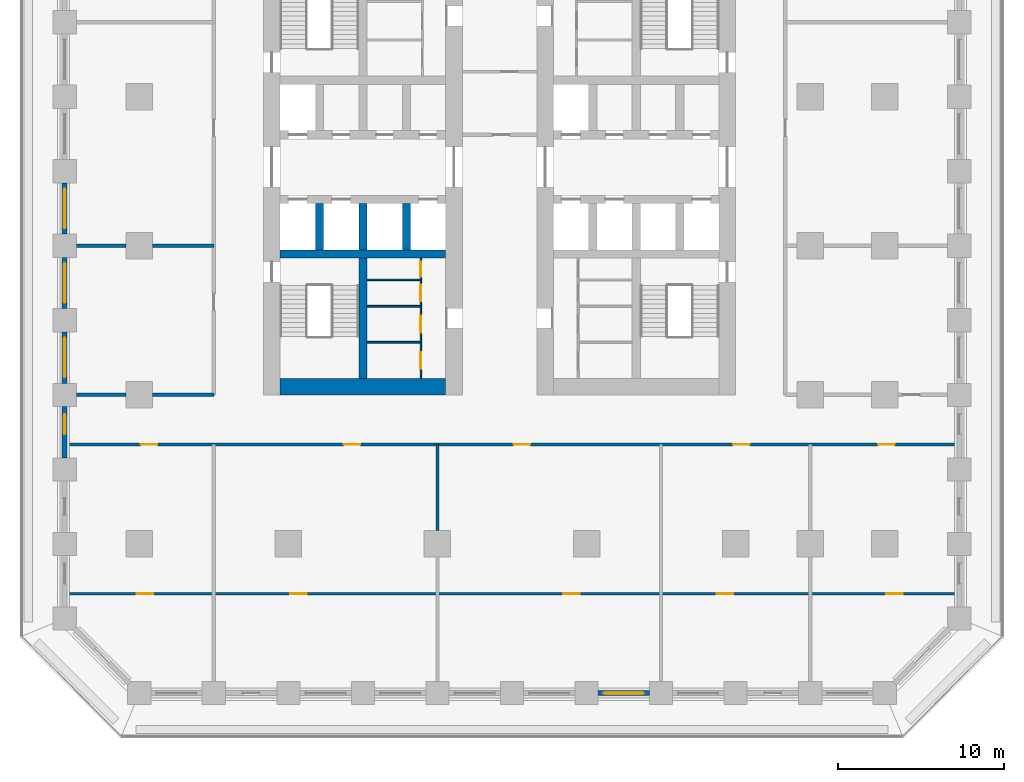
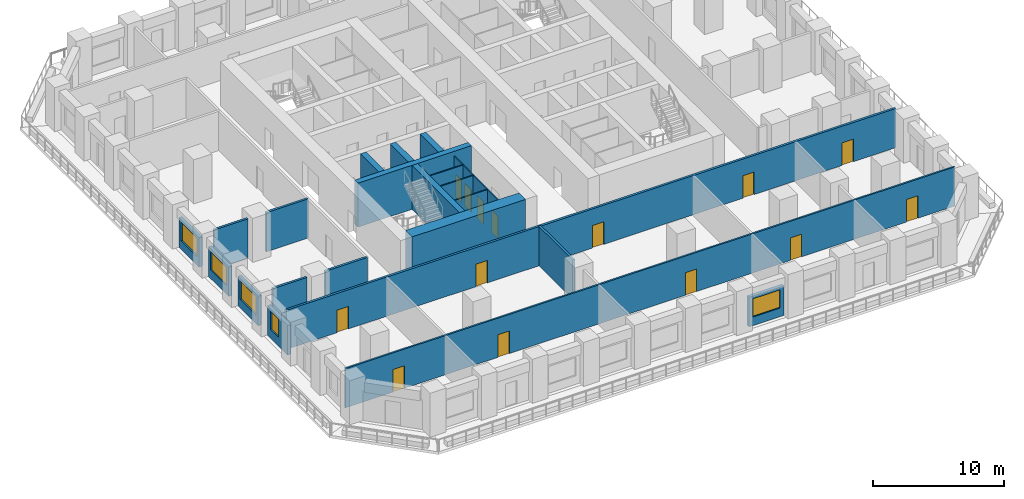
# One storey, part 3 of 11: 25 walls, 14 doors, 5 windows, 19 openings.
"""IFC4 building model written with IfcOpenShell, lengths in metres."""

import ifcopenshell
import ifcopenshell.guid

model = None  # the IFC model being written
_history = None  # IfcOwnerHistory: only IFC2X3 demands one
_inside = {}  # id of a spatial element -> (the spatial element, [elements in it])
_under = {}  # id of a project, library or spatial element -> (it, [spatial elements below it])
_declared = {}  # id of a project -> (the project, [libraries it declares])
_typed = {}  # id of a type object -> (the type object, [elements of that type])
_made_of = {}  # id of a material, layer set ... -> (it, [elements and type objects made of it])


def new_model(schema):
    """Start an empty IFC model of exactly this schema.

    Asked for "IFC4X3", IfcOpenShell would pick the latest addendum, in which some entities
    have other attributes; the version numbers below select the first issue.
    IFC2X3 requires an IfcOwnerHistory on every rooted entity: one is made here for all.
    """
    global model, _history
    if schema == "IFC4X3":
        model = ifcopenshell.file(schema_version=(4, 3, 0, 0))
    else:
        model = ifcopenshell.file(schema=schema)
    _inside.clear()
    _under.clear()
    _declared.clear()
    _typed.clear()
    _made_of.clear()
    _history = None
    if model.schema == "IFC2X3":
        org = make("IfcOrganization", Name="unknown")
        user = make(
            "IfcPersonAndOrganization",
            ThePerson=make("IfcPerson", FamilyName="unknown"),
            TheOrganization=org,
        )
        app = make(
            "IfcApplication",
            ApplicationDeveloper=org,
            Version="unknown",
            ApplicationFullName="unknown",
            ApplicationIdentifier="unknown",
        )
        _history = make(
            "IfcOwnerHistory",
            OwningUser=user,
            OwningApplication=app,
            ChangeAction="ADDED",
            CreationDate=0,
        )
    return model


def make(cls, **values):
    """One entity of the class cls with the attributes given. An attribute that is None is left unset."""
    return model.create_entity(
        cls, **{name: value for name, value in values.items() if value is not None}
    )


def rooted(cls, **values):
    """An entity with a GlobalId (a new one), such as an element, a storey or a relation."""
    return make(cls, GlobalId=ifcopenshell.guid.new(), OwnerHistory=_history, **values)


def si_unit(unit_type, name, prefix=None):
    """IfcSIUnit, for example si_unit("LENGTHUNIT", "METRE", prefix="MILLI")."""
    return make("IfcSIUnit", UnitType=unit_type, Prefix=prefix, Name=name)


def assignment(units):
    """IfcUnitAssignment: the units of a project."""
    return None if units is None else make("IfcUnitAssignment", Units=units)


def point(xyz):
    """IfcCartesianPoint."""
    return None if xyz is None else make("IfcCartesianPoint", Coordinates=xyz)


def direction(xyz):
    """IfcDirection."""
    return None if xyz is None else make("IfcDirection", DirectionRatios=xyz)


def frame(location, z_axis=None, x_axis=None):
    """IfcAxis2Placement3D, a coordinate frame: its origin and axes. An axis left out is left unset."""
    return make(
        "IfcAxis2Placement3D",
        Location=point(location),
        Axis=direction(z_axis),
        RefDirection=direction(x_axis),
    )


def frame_2d(location, x_axis=None):
    """IfcAxis2Placement2D, a coordinate frame in the plane: its origin and x axis."""
    return make(
        "IfcAxis2Placement2D", Location=point(location), RefDirection=direction(x_axis)
    )


def origin():
    """The frame at (0, 0, 0) with its axes left unset."""
    return frame((0.0, 0.0, 0.0))


def place(relative_to, where):
    """IfcLocalPlacement: puts the frame where relative to a parent placement (None: the world)."""
    return make(
        "IfcLocalPlacement", PlacementRelTo=relative_to, RelativePlacement=where
    )


def context(
    kind, dimensions, precision=None, world=None, true_north=None, identifier=None
):
    """IfcGeometricRepresentationContext, for example the 3D "Model" context."""
    return make(
        "IfcGeometricRepresentationContext",
        ContextIdentifier=identifier,
        ContextType=kind,
        CoordinateSpaceDimension=dimensions,
        Precision=precision,
        WorldCoordinateSystem=world,
        TrueNorth=true_north,
    )


def subcontext(parent, identifier, kind, view, scale=None):
    """IfcGeometricRepresentationSubContext, for example "Body" below "Model"."""
    return make(
        "IfcGeometricRepresentationSubContext",
        ContextIdentifier=identifier,
        ContextType=kind,
        ParentContext=parent,
        TargetScale=scale,
        TargetView=view,
    )


def project(units=None, contexts=None):
    """IfcProject with its units and contexts."""
    return rooted(
        "IfcProject",
        Name="project",
        RepresentationContexts=contexts,
        UnitsInContext=assignment(units),
    )


def spatial(cls, under=None, at=None, **own):
    """A site, building, storey or space (cls), placed at a placement, below another one or the project."""
    s = rooted(cls, ObjectPlacement=at, **own)
    if under is not None:
        _under.setdefault(under.id(), (under, []))[1].append(s)
    return s


def profile(cls, at=None, kind="AREA", **sizes):
    """A parametric profile (cls). Its sizes go by their IFC names, for example OverallWidth=200.0."""
    return make(cls, ProfileType=kind, Position=at, **sizes)


def rectangle(**sizes):
    """IfcRectangleProfileDef."""
    return profile("IfcRectangleProfileDef", **sizes)


def extrude(swept, where, along, depth):
    """IfcExtrudedAreaSolid: the profile swept, set in the frame where, extruded along a direction by depth."""
    return make(
        "IfcExtrudedAreaSolid",
        SweptArea=swept,
        Position=where,
        ExtrudedDirection=direction(along),
        Depth=depth,
    )


def shape(context_of_items, identifier, shape_type, items):
    """IfcShapeRepresentation: the items that make up one representation, for example the "Body"."""
    return make(
        "IfcShapeRepresentation",
        ContextOfItems=context_of_items,
        RepresentationIdentifier=identifier,
        RepresentationType=shape_type,
        Items=items,
    )


def material(Name=None, Category=None):
    """IfcMaterial."""
    return make("IfcMaterial", Name=Name, Category=Category)


def layer(
    of_material, thickness, ventilated=None, Name=None, Category=None, Priority=None
):
    """IfcMaterialLayer: one layer of a wall or slab, of a material (None: an air gap)."""
    return make(
        "IfcMaterialLayer",
        Material=of_material,
        LayerThickness=thickness,
        IsVentilated=ventilated,
        Name=Name,
        Category=Category,
        Priority=Priority,
    )


def layer_set(layers, Name=None):
    """IfcMaterialLayerSet."""
    return make("IfcMaterialLayerSet", MaterialLayers=layers, LayerSetName=Name)


def made_of(thing, what):
    """Note that an element or type object is made of a material, layer set ...; save() writes the relation."""
    if what is not None:
        _made_of.setdefault(what.id(), (what, []))[1].append(thing)
    return thing


def type_object(cls, material=None, **own):
    """A type object (cls), such as IfcWallType, which elements share."""
    return made_of(rooted(cls, **own), material)


def element(
    cls,
    number,
    at=None,
    inside=None,
    cuts=None,
    type_object=None,
    material=None,
    context=None,
    identifier="Body",
    shape_type=None,
    held_by="IfcProductDefinitionShape",
    body=None,
    shapes=None,
    **own,
):
    """One element of the class cls, such as IfcWall. Its Tag is "e" and its number.

    at: its placement. inside: the storey or other place that contains it. cuts: it is an
    opening in that element (IfcRelVoidsElement). A single representation is given by context,
    identifier, shape_type and body (its items); several are given by shapes. held_by: the class
    of the entity that holds the representations. save() writes the other relations.
    """
    e = rooted(cls, Tag="e%d" % number, ObjectPlacement=at, **own)
    if body is not None:
        shapes = [shape(context, identifier, shape_type, body)]
    if shapes is not None:
        e.Representation = make(held_by, Representations=shapes)
    if inside is not None:
        _inside.setdefault(inside.id(), (inside, []))[1].append(e)
    if cuts is not None:
        rooted(
            "IfcRelVoidsElement", RelatingBuildingElement=cuts, RelatedOpeningElement=e
        )
    if type_object is not None:
        _typed.setdefault(type_object.id(), (type_object, []))[1].append(e)
    return made_of(e, material)


def fill(opening, filler):
    """IfcRelFillsElement: the door or window that sits in an opening."""
    return rooted(
        "IfcRelFillsElement",
        RelatingOpeningElement=opening,
        RelatedBuildingElement=filler,
    )


def aggregate(whole, parts):
    """IfcRelAggregates: a whole, such as a stair, and the parts it consists of."""
    return rooted("IfcRelAggregates", RelatingObject=whole, RelatedObjects=parts)


def save(model, path):
    """Write the relations noted so far, then the file.

    IfcRelAggregates (storeys below a building ...), IfcRelContainedInSpatialStructure (elements
    in a storey), IfcRelDefinesByType, IfcRelAssociatesMaterial and IfcRelDeclares: one each for
    every whole, place, type object, material and project.
    """
    for whole, parts in _under.values():
        aggregate(whole, parts)
    for where, things in _inside.values():
        rooted(
            "IfcRelContainedInSpatialStructure",
            RelatedElements=things,
            RelatingStructure=where,
        )
    for kind, things in _typed.values():
        rooted("IfcRelDefinesByType", RelatedObjects=things, RelatingType=kind)
    for what, things in _made_of.values():
        rooted("IfcRelAssociatesMaterial", RelatedObjects=things, RelatingMaterial=what)
    for by, libraries in _declared.values():
        rooted("IfcRelDeclares", RelatingContext=by, RelatedDefinitions=libraries)
    model.write(path)


model = new_model("IFC4")

# Units and contexts
model_context = context("Model", 3, precision=1e-05, world=origin(), true_north=direction((0.0, 1.0)))
body_context = subcontext(model_context, "Body", "Model", "MODEL_VIEW")
ifc_project = project(units=[si_unit("LENGTHUNIT", "METRE"), si_unit("AREAUNIT", "SQUARE_METRE"), si_unit("VOLUMEUNIT", "CUBIC_METRE"), si_unit("PLANEANGLEUNIT", "RADIAN"), si_unit("MASSUNIT", "GRAM", prefix="KILO")], contexts=[model_context])

# Site, building, storey
site_placement = place(None, origin())
site = spatial("IfcSite", under=ifc_project, at=site_placement, CompositionType="ELEMENT")
building_placement = place(site_placement, origin())
building = spatial("IfcBuilding", under=site, at=building_placement, Name="Corbel Stack Research Tower", CompositionType="ELEMENT")
storey_placement = place(building_placement, frame((0.0, 0.0, 46.0)))
storey = spatial("IfcBuildingStorey", under=building, at=storey_placement, Name="L10", CompositionType="ELEMENT", Elevation=46.0)

# Walls
ifc_material_1 = material(Name="Concrete C70/85", Category="concrete")
ifc_layer_1 = layer(ifc_material_1, 1.0)
ifc_layer_set_1 = layer_set([ifc_layer_1], Name="Concrete C70/85")
wall_type_1 = type_object("IfcWallType", Name="CW-1000-70", PredefinedType="SHEAR", material=ifc_layer_set_1)
wall_1_placement = place(storey_placement, frame((-9.5, -8.5, 0.0), z_axis=(0.0, 0.0, 1.0), x_axis=(1.0, 0.0, 0.0)))
element("IfcWall", 1, at=wall_1_placement, inside=storey, type_object=wall_type_1, Name="West core wall, south end L10", PredefinedType="SHEAR", context=body_context, shape_type="SweptSolid", body=[
    extrude(rectangle(XDim=10.0, YDim=1.0, at=frame_2d((5.0, 0.0))), origin(), (0.0, 0.0, 1.0), 4.10009765625),
])
ifc_material_2 = material(Name="Concrete C70/85", Category="concrete")
ifc_layer_2 = layer(ifc_material_2, 0.5)
ifc_layer_set_2 = layer_set([ifc_layer_2], Name="Concrete C70/85")
wall_type_2 = type_object("IfcWallType", Name="CW-500-70", PredefinedType="SHEAR", material=ifc_layer_set_2)
wall_2_placement = place(storey_placement, frame((-9.5, -0.5, 0.0), z_axis=(0.0, 0.0, 1.0), x_axis=(1.0, 0.0, 0.0)))
element("IfcWall", 2, at=wall_2_placement, inside=storey, type_object=wall_type_2, Name="West core wall, south row back L10", PredefinedType="SHEAR", context=body_context, shape_type="SweptSolid", body=[
    extrude(rectangle(XDim=10.0, YDim=0.5, at=frame_2d((5.0, 0.0))), origin(), (0.0, 0.0, 1.0), 4.10009765625),
])
for number, where, z_axis, x_axis, name in (
    (3, (-7.125, -0.25, 0.0), (0.0, 0.0, 1.0), (0.0, 1.0, 0.0), "West core wall, south shaft 1 L10"),
    (4, (-4.5, -0.25, 0.0), (0.0, 0.0, 1.0), (0.0, 1.0, 0.0), "West core wall, south shaft 2 L10"),
    (5, (-1.875, -0.25, 0.0), (0.0, 0.0, 1.0), (0.0, 1.0, 0.0), "West core wall, south shaft 3 L10"),
):
    element("IfcWall", number, at=place(storey_placement, frame(where, z_axis=z_axis, x_axis=x_axis)), inside=storey, type_object=wall_type_2, Name=name, PredefinedType="SHEAR", context=body_context, shape_type="SweptSolid", body=[
        extrude(rectangle(XDim=2.800048828125, YDim=0.5, at=frame_2d((1.39990234375, 0.0))), origin(), (0.0, 0.0, 1.0), 4.10009765625),
    ])
wall_3_placement = place(storey_placement, frame((-4.5, -8.0, 0.0), z_axis=(0.0, 0.0, 1.0), x_axis=(0.0, 1.0, 0.0)))
element("IfcWall", 6, at=wall_3_placement, inside=storey, type_object=wall_type_2, Name="West core wall, south stair and WC L10", PredefinedType="SHEAR", context=body_context, shape_type="SweptSolid", body=[
    extrude(rectangle(XDim=7.25, YDim=0.5, at=frame_2d((3.625, 0.0))), origin(), (0.0, 0.0, 1.0), 4.10009765625),
])

# Wall, opening, door
ifc_material_3 = material(Name="Gypsum board")
ifc_layer_3 = layer(ifc_material_3, 0.10009765625)
ifc_layer_set_3 = layer_set([ifc_layer_3], Name="Gypsum board")
wall_type_3 = type_object("IfcWallType", Name="Core partition 100", PredefinedType="PARTITIONING", material=ifc_layer_set_3)
wall_4_placement = place(storey_placement, frame((-1.0, -8.0, 0.0), z_axis=(0.0, 0.0, 1.0), x_axis=(0.0, 1.0, 0.0)))
wall_4 = element("IfcWall", 7, at=wall_4_placement, inside=storey, type_object=wall_type_3, Name="Core partition W", PredefinedType="PARTITIONING", context=body_context, shape_type="SweptSolid", body=[
    extrude(rectangle(XDim=2.175048828125, YDim=0.10009765625, at=frame_2d((1.08740234375, 0.0))), origin(), (0.0, 0.0, 1.0), 3.64990234375),
])
opening_1_placement = place(wall_4_placement, frame((0.58740234375, 0.0, 0.0)))
opening_1 = element("IfcOpeningElement", 8, at=opening_1_placement, cuts=wall_4, Name="Opening CR-W42-W2-1000", PredefinedType="OPENING", context=body_context, shape_type="SweptSolid", body=[
    extrude(rectangle(XDim=1.0, YDim=2.10009765625, at=frame_2d((0.5, 1.050048828125))), frame((0.0, 0.06005859375, 0.0), z_axis=(0.0, -1.0, 0.0), x_axis=(1.0, 0.0, 0.0)), (0.0, 0.0, 1.0), 0.1201171875),
])
ifc_material_4 = material(Name="Painted timber door", Category="wood")
door_type_1 = type_object("IfcDoorType", Name="WC door 1000 x 2100 right hand", OperationType="SINGLE_SWING_RIGHT", PredefinedType="DOOR", material=ifc_material_4)
door_1_placement = place(opening_1_placement, origin())
door_1 = element("IfcDoor", 9, at=door_1_placement, inside=storey, type_object=door_type_1, Name="Men's WC door W core", OperationType="SINGLE_SWING_RIGHT", OverallHeight=2.10009765625, OverallWidth=1.0, PredefinedType="DOOR", context=body_context, shape_type="SweptSolid", body=[
    extrude(rectangle(XDim=1.0, YDim=2.10009765625, at=frame_2d((0.5, 1.050048828125))), frame((0.0, 0.02490234375, 0.0), z_axis=(0.0, -1.0, 0.0), x_axis=(1.0, 0.0, 0.0)), (0.0, 0.0, 1.0), 0.050048828125),
])
fill(opening_1, door_1)

wall_5_placement = place(storey_placement, frame((-1.0, -5.824951171875, 0.0), z_axis=(0.0, 0.0, 1.0), x_axis=(0.0, 1.0, 0.0)))
wall_5 = element("IfcWall", 10, at=wall_5_placement, inside=storey, type_object=wall_type_3, Name="Core partition W", PredefinedType="PARTITIONING", context=body_context, shape_type="SweptSolid", body=[
    extrude(rectangle(XDim=2.175048828125, YDim=0.10009765625, at=frame_2d((1.08740234375, 0.0))), origin(), (0.0, 0.0, 1.0), 3.64990234375),
])
opening_2_placement = place(wall_5_placement, frame((0.58740234375, 0.0, 0.0)))
opening_2 = element("IfcOpeningElement", 11, at=opening_2_placement, cuts=wall_5, Name="Opening CR-W42-W3-1000", PredefinedType="OPENING", context=body_context, shape_type="SweptSolid", body=[
    extrude(rectangle(XDim=1.0, YDim=2.10009765625, at=frame_2d((0.5, 1.050048828125))), frame((0.0, 0.06005859375, 0.0), z_axis=(0.0, -1.0, 0.0), x_axis=(1.0, 0.0, 0.0)), (0.0, 0.0, 1.0), 0.1201171875),
])
ifc_material_5 = material(Name="Painted timber door", Category="wood")
door_type_2 = type_object("IfcDoorType", Name="WC door 1000 x 2100 left hand", OperationType="SINGLE_SWING_LEFT", PredefinedType="DOOR", material=ifc_material_5)
door_2_placement = place(opening_2_placement, origin())
door_2 = element("IfcDoor", 12, at=door_2_placement, inside=storey, type_object=door_type_2, Name="Women's WC door W core", OperationType="SINGLE_SWING_LEFT", OverallHeight=2.10009765625, OverallWidth=1.0, PredefinedType="DOOR", context=body_context, shape_type="SweptSolid", body=[
    extrude(rectangle(XDim=1.0, YDim=2.10009765625, at=frame_2d((0.5, 1.050048828125))), frame((0.0, 0.02490234375, 0.0), z_axis=(0.0, -1.0, 0.0), x_axis=(1.0, 0.0, 0.0)), (0.0, 0.0, 1.0), 0.050048828125),
])
fill(opening_2, door_2)

wall_6_placement = place(storey_placement, frame((-1.0, -3.64990234375, 0.0), z_axis=(0.0, 0.0, 1.0), x_axis=(0.0, 1.0, 0.0)))
wall_6 = element("IfcWall", 13, at=wall_6_placement, inside=storey, type_object=wall_type_3, Name="Core partition W", PredefinedType="PARTITIONING", context=body_context, shape_type="SweptSolid", body=[
    extrude(rectangle(XDim=1.594970703125, YDim=0.10009765625, at=frame_2d((0.79736328125, 0.0))), origin(), (0.0, 0.0, 1.0), 3.64990234375),
])
opening_3_placement = place(wall_6_placement, frame((0.297607421875, 0.0, 0.0)))
opening_3 = element("IfcOpeningElement", 14, at=opening_3_placement, cuts=wall_6, Name="Opening CR-W42-W4-1000", PredefinedType="OPENING", context=body_context, shape_type="SweptSolid", body=[
    extrude(rectangle(XDim=1.0, YDim=2.10009765625, at=frame_2d((0.5, 1.050048828125))), frame((0.0, 0.06005859375, 0.0), z_axis=(0.0, -1.0, 0.0), x_axis=(1.0, 0.0, 0.0)), (0.0, 0.0, 1.0), 0.1201171875),
])
door_3_placement = place(opening_3_placement, origin())
door_3 = element("IfcDoor", 15, at=door_3_placement, inside=storey, type_object=door_type_1, Name="Accessible WC door W core", OperationType="SINGLE_SWING_RIGHT", OverallHeight=2.10009765625, OverallWidth=1.0, PredefinedType="DOOR", context=body_context, shape_type="SweptSolid", body=[
    extrude(rectangle(XDim=1.0, YDim=2.10009765625, at=frame_2d((0.5, 1.050048828125))), frame((0.0, 0.02490234375, 0.0), z_axis=(0.0, -1.0, 0.0), x_axis=(1.0, 0.0, 0.0)), (0.0, 0.0, 1.0), 0.050048828125),
])
fill(opening_3, door_3)

wall_7_placement = place(storey_placement, frame((-1.0, -2.054931640625, 0.0), z_axis=(0.0, 0.0, 1.0), x_axis=(0.0, 1.0, 0.0)))
wall_7 = element("IfcWall", 16, at=wall_7_placement, inside=storey, type_object=wall_type_3, Name="Core partition W", PredefinedType="PARTITIONING", context=body_context, shape_type="SweptSolid", body=[
    extrude(rectangle(XDim=1.304931640625, YDim=0.10009765625, at=frame_2d((0.65234375, 0.0))), origin(), (0.0, 0.0, 1.0), 3.64990234375),
])
opening_4_placement = place(wall_7_placement, frame((0.199951171875, 0.0, 0.0)))
opening_4 = element("IfcOpeningElement", 17, at=opening_4_placement, cuts=wall_7, Name="Opening CR-W42-W5-905", PredefinedType="OPENING", context=body_context, shape_type="SweptSolid", body=[
    extrude(rectangle(XDim=0.905029296875, YDim=2.10009765625, at=frame_2d((0.45263671875, 1.050048828125))), frame((0.0, 0.06005859375, 0.0), z_axis=(0.0, -1.0, 0.0), x_axis=(1.0, 0.0, 0.0)), (0.0, 0.0, 1.0), 0.1201171875),
])
ifc_material_6 = material(Name="Painted steel door", Category="steel")
door_type_3 = type_object("IfcDoorType", Name="Service door 905 x 2100 FD30 left hand", OperationType="SINGLE_SWING_LEFT", PredefinedType="DOOR", material=ifc_material_6)
door_4_placement = place(opening_4_placement, origin())
door_4 = element("IfcDoor", 18, at=door_4_placement, inside=storey, type_object=door_type_3, Name="Cleaner's store door W core", OperationType="SINGLE_SWING_LEFT", OverallHeight=2.10009765625, OverallWidth=0.905029296875, PredefinedType="DOOR", context=body_context, shape_type="SweptSolid", body=[
    extrude(rectangle(XDim=0.905029296875, YDim=2.10009765625, at=frame_2d((0.45263671875, 1.050048828125))), frame((0.0, 0.02490234375, 0.0), z_axis=(0.0, -1.0, 0.0), x_axis=(1.0, 0.0, 0.0)), (0.0, 0.0, 1.0), 0.050048828125),
])
fill(opening_4, door_4)

# Walls
for number, where, z_axis, x_axis, name in (
    (19, (-4.25, -5.824951171875, 0.0), (0.0, 0.0, 1.0), (1.0, 0.0, 0.0), "Core partition W"),
    (20, (-4.25, -3.64990234375, 0.0), (0.0, 0.0, 1.0), (1.0, 0.0, 0.0), "Core partition W"),
    (21, (-4.25, -2.054931640625, 0.0), (0.0, 0.0, 1.0), (1.0, 0.0, 0.0), "Core partition W"),
):
    element("IfcWall", number, at=place(storey_placement, frame(where, z_axis=z_axis, x_axis=x_axis)), inside=storey, type_object=wall_type_3, Name=name, PredefinedType="PARTITIONING", context=body_context, shape_type="SweptSolid", body=[
        extrude(rectangle(XDim=3.25, YDim=0.10009765625, at=frame_2d((1.625, 0.0))), origin(), (0.0, 0.0, 1.0), 3.64990234375),
    ])
ifc_material_7 = material(Name="Fire-rated gypsum board partition on steel studs", Category="steel")
ifc_layer_4 = layer(ifc_material_7, 0.199951171875)
ifc_layer_set_4 = layer_set([ifc_layer_4], Name="Fire-rated gypsum board partition on steel studs")
wall_type_4 = type_object("IfcWallType", Name="Fire-rated partition 200 EI 60", PredefinedType="PARTITIONING", material=ifc_layer_set_4)
wall_8_placement = place(storey_placement, frame((0.0, -17.199951171875, 0.0), z_axis=(0.0, 0.0, 1.0), x_axis=(0.0, 1.0, 0.0)))
element("IfcWall", 22, at=wall_8_placement, inside=storey, type_object=wall_type_4, Name="Partition L10-005", PredefinedType="PARTITIONING", context=body_context, shape_type="SweptSolid", body=[
    extrude(rectangle(XDim=5.199951171875, YDim=0.199951171875, at=frame_2d((2.60009765625, 0.0))), origin(), (0.0, 0.0, 1.0), 3.64990234375),
])

# Wall, openings, doors
wall_9_placement = place(storey_placement, frame((31.35009765625, -12.0, 0.0), z_axis=(0.0, 0.0, 1.0), x_axis=(-1.0, 0.0, 0.0)))
wall_9 = element("IfcWall", 23, at=wall_9_placement, inside=storey, type_object=wall_type_4, Name="Partition L10-014", PredefinedType="PARTITIONING", context=body_context, shape_type="SweptSolid", body=[
    extrude(rectangle(XDim=53.7001953125, YDim=0.199951171875, at=frame_2d((26.85009765625, 0.0))), origin(), (0.0, 0.0, 1.0), 3.64990234375),
])
opening_5_placement = place(wall_9_placement, frame((48.25, 0.0, 0.0)))
opening_5 = element("IfcOpeningElement", 24, at=opening_5_placement, cuts=wall_9, Name="Opening B2V1-008", PredefinedType="OPENING", context=body_context, shape_type="SweptSolid", body=[
    extrude(rectangle(XDim=1.0, YDim=2.10009765625, at=frame_2d((0.5, 1.050048828125))), frame((0.0, 0.10986328125, 0.0), z_axis=(0.0, -1.0, 0.0), x_axis=(1.0, 0.0, 0.0)), (0.0, 0.0, 1.0), 0.219970703125),
])
opening_6_placement = place(wall_9_placement, frame((36.0, 0.0, 0.0)))
opening_6 = element("IfcOpeningElement", 25, at=opening_6_placement, cuts=wall_9, Name="Opening B2V1-009", PredefinedType="OPENING", context=body_context, shape_type="SweptSolid", body=[
    extrude(rectangle(XDim=1.0, YDim=2.10009765625, at=frame_2d((0.5, 1.050048828125))), frame((0.0, 0.10986328125, 0.0), z_axis=(0.0, -1.0, 0.0), x_axis=(1.0, 0.0, 0.0)), (0.0, 0.0, 1.0), 0.219970703125),
])
opening_7_placement = place(wall_9_placement, frame((25.75, 0.0, 0.0)))
opening_7 = element("IfcOpeningElement", 26, at=opening_7_placement, cuts=wall_9, Name="Opening B2V1-010", PredefinedType="OPENING", context=body_context, shape_type="SweptSolid", body=[
    extrude(rectangle(XDim=1.0, YDim=2.10009765625, at=frame_2d((0.5, 1.050048828125))), frame((0.0, 0.10986328125, 0.0), z_axis=(0.0, -1.0, 0.0), x_axis=(1.0, 0.0, 0.0)), (0.0, 0.0, 1.0), 0.219970703125),
])
opening_8_placement = place(wall_9_placement, frame((12.5, 0.0, 0.0)))
opening_8 = element("IfcOpeningElement", 27, at=opening_8_placement, cuts=wall_9, Name="Opening B2V1-011", PredefinedType="OPENING", context=body_context, shape_type="SweptSolid", body=[
    extrude(rectangle(XDim=1.0, YDim=2.10009765625, at=frame_2d((0.5, 1.050048828125))), frame((0.0, 0.10986328125, 0.0), z_axis=(0.0, -1.0, 0.0), x_axis=(1.0, 0.0, 0.0)), (0.0, 0.0, 1.0), 0.219970703125),
])
opening_9_placement = place(wall_9_placement, frame((3.75, 0.0, 0.0)))
opening_9 = element("IfcOpeningElement", 28, at=opening_9_placement, cuts=wall_9, Name="Opening B2V1-012", PredefinedType="OPENING", context=body_context, shape_type="SweptSolid", body=[
    extrude(rectangle(XDim=1.0, YDim=2.10009765625, at=frame_2d((0.5, 1.050048828125))), frame((0.0, 0.10986328125, 0.0), z_axis=(0.0, -1.0, 0.0), x_axis=(1.0, 0.0, 0.0)), (0.0, 0.0, 1.0), 0.219970703125),
])
ifc_material_8 = material(Name="Painted steel fire door", Category="steel")
door_type_4 = type_object("IfcDoorType", Name="Fire door FD30S 1000 x 2100", OperationType="NOTDEFINED", PredefinedType="DOOR", material=ifc_material_8)
door_5_placement = place(opening_5_placement, origin())
door_5 = element("IfcDoor", 29, at=door_5_placement, inside=storey, type_object=door_type_4, Name="Door B2V1-008", OperationType="SINGLE_SWING_RIGHT", OverallHeight=2.10009765625, OverallWidth=1.0, PredefinedType="DOOR", context=body_context, shape_type="SweptSolid", body=[
    extrude(rectangle(XDim=1.0, YDim=2.10009765625, at=frame_2d((0.5, 1.050048828125))), frame((0.0, 0.02490234375, 0.0), z_axis=(0.0, -1.0, 0.0), x_axis=(1.0, 0.0, 0.0)), (0.0, 0.0, 1.0), 0.050048828125),
])
fill(opening_5, door_5)
door_6_placement = place(opening_6_placement, origin())
door_6 = element("IfcDoor", 30, at=door_6_placement, inside=storey, type_object=door_type_4, Name="Door B2V1-009", OperationType="SINGLE_SWING_RIGHT", OverallHeight=2.10009765625, OverallWidth=1.0, PredefinedType="DOOR", context=body_context, shape_type="SweptSolid", body=[
    extrude(rectangle(XDim=1.0, YDim=2.10009765625, at=frame_2d((0.5, 1.050048828125))), frame((0.0, 0.02490234375, 0.0), z_axis=(0.0, -1.0, 0.0), x_axis=(1.0, 0.0, 0.0)), (0.0, 0.0, 1.0), 0.050048828125),
])
fill(opening_6, door_6)
door_7_placement = place(opening_7_placement, origin())
door_7 = element("IfcDoor", 31, at=door_7_placement, inside=storey, type_object=door_type_4, Name="Door B2V1-010", OperationType="SINGLE_SWING_LEFT", OverallHeight=2.10009765625, OverallWidth=1.0, PredefinedType="DOOR", context=body_context, shape_type="SweptSolid", body=[
    extrude(rectangle(XDim=1.0, YDim=2.10009765625, at=frame_2d((0.5, 1.050048828125))), frame((0.0, 0.02490234375, 0.0), z_axis=(0.0, -1.0, 0.0), x_axis=(1.0, 0.0, 0.0)), (0.0, 0.0, 1.0), 0.050048828125),
])
fill(opening_7, door_7)
door_8_placement = place(opening_8_placement, origin())
door_8 = element("IfcDoor", 32, at=door_8_placement, inside=storey, type_object=door_type_4, Name="Door B2V1-011", OperationType="SINGLE_SWING_LEFT", OverallHeight=2.10009765625, OverallWidth=1.0, PredefinedType="DOOR", context=body_context, shape_type="SweptSolid", body=[
    extrude(rectangle(XDim=1.0, YDim=2.10009765625, at=frame_2d((0.5, 1.050048828125))), frame((0.0, 0.02490234375, 0.0), z_axis=(0.0, -1.0, 0.0), x_axis=(1.0, 0.0, 0.0)), (0.0, 0.0, 1.0), 0.050048828125),
])
fill(opening_8, door_8)
door_9_placement = place(opening_9_placement, origin())
door_9 = element("IfcDoor", 33, at=door_9_placement, inside=storey, type_object=door_type_4, Name="Door B2V1-012", OperationType="SINGLE_SWING_LEFT", OverallHeight=2.10009765625, OverallWidth=1.0, PredefinedType="DOOR", context=body_context, shape_type="SweptSolid", body=[
    extrude(rectangle(XDim=1.0, YDim=2.10009765625, at=frame_2d((0.5, 1.050048828125))), frame((0.0, 0.02490234375, 0.0), z_axis=(0.0, -1.0, 0.0), x_axis=(1.0, 0.0, 0.0)), (0.0, 0.0, 1.0), 0.050048828125),
])
fill(opening_9, door_9)

# Walls
wall_10_placement = place(storey_placement, frame((-21.800048828125, -9.0, 0.0), z_axis=(0.0, 0.0, 1.0), x_axis=(1.0, 0.0, 0.0)))
element("IfcWall", 34, at=wall_10_placement, inside=storey, type_object=wall_type_4, Name="Partition L10-015", PredefinedType="PARTITIONING", context=body_context, shape_type="SweptSolid", body=[
    extrude(rectangle(XDim=3.0, YDim=0.199951171875, at=frame_2d((1.5, 0.0))), origin(), (0.0, 0.0, 1.0), 3.64990234375),
])
wall_11_placement = place(storey_placement, frame((-17.199951171875, -9.0, 0.0), z_axis=(0.0, 0.0, 1.0), x_axis=(1.0, 0.0, 0.0)))
element("IfcWall", 35, at=wall_11_placement, inside=storey, type_object=wall_type_4, Name="Partition L10-016", PredefinedType="PARTITIONING", context=body_context, shape_type="SweptSolid", body=[
    extrude(rectangle(XDim=3.699951171875, YDim=0.199951171875, at=frame_2d((1.85009765625, 0.0))), origin(), (0.0, 0.0, 1.0), 3.64990234375),
])
wall_12_placement = place(storey_placement, frame((-21.800048828125, 0.0, 0.0), z_axis=(0.0, 0.0, 1.0), x_axis=(1.0, 0.0, 0.0)))
element("IfcWall", 36, at=wall_12_placement, inside=storey, type_object=wall_type_4, Name="Partition L10-020", PredefinedType="PARTITIONING", context=body_context, shape_type="SweptSolid", body=[
    extrude(rectangle(XDim=3.0, YDim=0.199951171875, at=frame_2d((1.5, 0.0))), origin(), (0.0, 0.0, 1.0), 3.64990234375),
])
wall_13_placement = place(storey_placement, frame((-17.199951171875, 0.0, 0.0), z_axis=(0.0, 0.0, 1.0), x_axis=(1.0, 0.0, 0.0)))
element("IfcWall", 37, at=wall_13_placement, inside=storey, type_object=wall_type_4, Name="Partition L10-021", PredefinedType="PARTITIONING", context=body_context, shape_type="SweptSolid", body=[
    extrude(rectangle(XDim=3.699951171875, YDim=0.199951171875, at=frame_2d((1.85009765625, 0.0))), origin(), (0.0, 0.0, 1.0), 3.64990234375),
])

# Wall, openings, doors
ifc_material_9 = material(Name="Gypsum board partition on steel studs", Category="steel")
ifc_layer_5 = layer(ifc_material_9, 0.14990234375)
ifc_layer_set_5 = layer_set([ifc_layer_5], Name="Gypsum board partition on steel studs")
wall_type_5 = type_object("IfcWallType", Name="Partition 150", PredefinedType="PARTITIONING", material=ifc_layer_set_5)
wall_14_placement = place(storey_placement, frame((31.35009765625, -21.0, 0.0), z_axis=(0.0, 0.0, 1.0), x_axis=(-1.0, 0.0, 0.0)))
wall_14 = element("IfcWall", 38, at=wall_14_placement, inside=storey, type_object=wall_type_5, Name="Partition L10-013", PredefinedType="PARTITIONING", context=body_context, shape_type="SweptSolid", body=[
    extrude(rectangle(XDim=53.7001953125, YDim=0.14990234375, at=frame_2d((26.85009765625, 0.0))), origin(), (0.0, 0.0, 1.0), 3.64990234375),
])
opening_10_placement = place(wall_14_placement, frame((48.5, 0.0, 0.0)))
opening_10 = element("IfcOpeningElement", 39, at=opening_10_placement, cuts=wall_14, Name="Opening B2V1-001", PredefinedType="OPENING", context=body_context, shape_type="SweptSolid", body=[
    extrude(rectangle(XDim=1.0, YDim=2.10009765625, at=frame_2d((0.5, 1.050048828125))), frame((0.0, 0.0849609375, 0.0), z_axis=(0.0, -1.0, 0.0), x_axis=(1.0, 0.0, 0.0)), (0.0, 0.0, 1.0), 0.169921875),
])
opening_11_placement = place(wall_14_placement, frame((39.25, 0.0, 0.0)))
opening_11 = element("IfcOpeningElement", 40, at=opening_11_placement, cuts=wall_14, Name="Opening B2V1-002", PredefinedType="OPENING", context=body_context, shape_type="SweptSolid", body=[
    extrude(rectangle(XDim=1.0, YDim=2.10009765625, at=frame_2d((0.5, 1.050048828125))), frame((0.0, 0.0849609375, 0.0), z_axis=(0.0, -1.0, 0.0), x_axis=(1.0, 0.0, 0.0)), (0.0, 0.0, 1.0), 0.169921875),
])
opening_12_placement = place(wall_14_placement, frame((22.75, 0.0, 0.0)))
opening_12 = element("IfcOpeningElement", 41, at=opening_12_placement, cuts=wall_14, Name="Opening B2V1-003", PredefinedType="OPENING", context=body_context, shape_type="SweptSolid", body=[
    extrude(rectangle(XDim=1.0, YDim=2.10009765625, at=frame_2d((0.5, 1.050048828125))), frame((0.0, 0.0849609375, 0.0), z_axis=(0.0, -1.0, 0.0), x_axis=(1.0, 0.0, 0.0)), (0.0, 0.0, 1.0), 0.169921875),
])
opening_13_placement = place(wall_14_placement, frame((13.5, 0.0, 0.0)))
opening_13 = element("IfcOpeningElement", 42, at=opening_13_placement, cuts=wall_14, Name="Opening B2V1-004", PredefinedType="OPENING", context=body_context, shape_type="SweptSolid", body=[
    extrude(rectangle(XDim=1.0, YDim=2.10009765625, at=frame_2d((0.5, 1.050048828125))), frame((0.0, 0.0849609375, 0.0), z_axis=(0.0, -1.0, 0.0), x_axis=(1.0, 0.0, 0.0)), (0.0, 0.0, 1.0), 0.169921875),
])
opening_14_placement = place(wall_14_placement, frame((3.25, 0.0, 0.0)))
opening_14 = element("IfcOpeningElement", 43, at=opening_14_placement, cuts=wall_14, Name="Opening B2V1-005", PredefinedType="OPENING", context=body_context, shape_type="SweptSolid", body=[
    extrude(rectangle(XDim=1.0, YDim=2.10009765625, at=frame_2d((0.5, 1.050048828125))), frame((0.0, 0.0849609375, 0.0), z_axis=(0.0, -1.0, 0.0), x_axis=(1.0, 0.0, 0.0)), (0.0, 0.0, 1.0), 0.169921875),
])
ifc_material_10 = material(Name="Painted timber door", Category="wood")
door_type_5 = type_object("IfcDoorType", Name="Single door 1000 x 2100", OperationType="NOTDEFINED", PredefinedType="DOOR", material=ifc_material_10)
door_10_placement = place(opening_10_placement, origin())
door_10 = element("IfcDoor", 44, at=door_10_placement, inside=storey, type_object=door_type_5, Name="Door B2V1-001", OperationType="SINGLE_SWING_RIGHT", OverallHeight=2.10009765625, OverallWidth=1.0, PredefinedType="DOOR", context=body_context, shape_type="SweptSolid", body=[
    extrude(rectangle(XDim=1.0, YDim=2.10009765625, at=frame_2d((0.5, 1.050048828125))), frame((0.0, 0.02490234375, 0.0), z_axis=(0.0, -1.0, 0.0), x_axis=(1.0, 0.0, 0.0)), (0.0, 0.0, 1.0), 0.050048828125),
])
fill(opening_10, door_10)
door_11_placement = place(opening_11_placement, origin())
door_11 = element("IfcDoor", 45, at=door_11_placement, inside=storey, type_object=door_type_5, Name="Door B2V1-002", OperationType="SINGLE_SWING_RIGHT", OverallHeight=2.10009765625, OverallWidth=1.0, PredefinedType="DOOR", context=body_context, shape_type="SweptSolid", body=[
    extrude(rectangle(XDim=1.0, YDim=2.10009765625, at=frame_2d((0.5, 1.050048828125))), frame((0.0, 0.02490234375, 0.0), z_axis=(0.0, -1.0, 0.0), x_axis=(1.0, 0.0, 0.0)), (0.0, 0.0, 1.0), 0.050048828125),
])
fill(opening_11, door_11)
door_12_placement = place(opening_12_placement, origin())
door_12 = element("IfcDoor", 46, at=door_12_placement, inside=storey, type_object=door_type_5, Name="Door B2V1-003", OperationType="SINGLE_SWING_LEFT", OverallHeight=2.10009765625, OverallWidth=1.0, PredefinedType="DOOR", context=body_context, shape_type="SweptSolid", body=[
    extrude(rectangle(XDim=1.0, YDim=2.10009765625, at=frame_2d((0.5, 1.050048828125))), frame((0.0, 0.02490234375, 0.0), z_axis=(0.0, -1.0, 0.0), x_axis=(1.0, 0.0, 0.0)), (0.0, 0.0, 1.0), 0.050048828125),
])
fill(opening_12, door_12)
door_13_placement = place(opening_13_placement, origin())
door_13 = element("IfcDoor", 47, at=door_13_placement, inside=storey, type_object=door_type_5, Name="Door B2V1-004", OperationType="SINGLE_SWING_LEFT", OverallHeight=2.10009765625, OverallWidth=1.0, PredefinedType="DOOR", context=body_context, shape_type="SweptSolid", body=[
    extrude(rectangle(XDim=1.0, YDim=2.10009765625, at=frame_2d((0.5, 1.050048828125))), frame((0.0, 0.02490234375, 0.0), z_axis=(0.0, -1.0, 0.0), x_axis=(1.0, 0.0, 0.0)), (0.0, 0.0, 1.0), 0.050048828125),
])
fill(opening_13, door_13)
door_14_placement = place(opening_14_placement, origin())
door_14 = element("IfcDoor", 48, at=door_14_placement, inside=storey, type_object=door_type_5, Name="Door B2V1-005", OperationType="SINGLE_SWING_LEFT", OverallHeight=2.10009765625, OverallWidth=1.0, PredefinedType="DOOR", context=body_context, shape_type="SweptSolid", body=[
    extrude(rectangle(XDim=1.0, YDim=2.10009765625, at=frame_2d((0.5, 1.050048828125))), frame((0.0, 0.02490234375, 0.0), z_axis=(0.0, -1.0, 0.0), x_axis=(1.0, 0.0, 0.0)), (0.0, 0.0, 1.0), 0.050048828125),
])
fill(opening_14, door_14)

# Wall, opening, window
ifc_material_11 = material(Name="Concrete C45/55", Category="concrete")
ifc_layer_6 = layer(ifc_material_11, 0.300048828125)
ifc_layer_set_6 = layer_set([ifc_layer_6], Name="Concrete C45/55")
wall_type_6 = type_object("IfcWallType", Name="Terracotta-faced concrete wall 300", PredefinedType="SOLIDWALL", material=ifc_layer_set_6)
wall_15_placement = place(storey_placement, frame((12.800048828125, -27.0, 0.0), z_axis=(0.0, 0.0, 1.0), x_axis=(-1.0, 0.0, 0.0)))
wall_15 = element("IfcWall", 49, at=wall_15_placement, inside=storey, type_object=wall_type_6, Name="Facade wall L10 S07", PredefinedType="SOLIDWALL", context=body_context, shape_type="SweptSolid", body=[
    extrude(rectangle(XDim=3.10009765625, YDim=0.300048828125, at=frame_2d((1.550048828125, 0.0))), origin(), (0.0, 0.0, 1.0), 2.75),
])
opening_15_placement = place(wall_15_placement, frame((0.35009765625, 0.0, 0.800048828125)))
opening_15 = element("IfcOpeningElement", 50, at=opening_15_placement, cuts=wall_15, Name="Opening W1", PredefinedType="OPENING", context=body_context, shape_type="SweptSolid", body=[
    extrude(rectangle(XDim=2.39990234375, YDim=1.699951171875, at=frame_2d((1.199951171875, 0.85009765625))), frame((0.0, 0.159912109375, 0.0), z_axis=(0.0, -1.0, 0.0), x_axis=(1.0, 0.0, 0.0)), (0.0, 0.0, 1.0), 0.320068359375),
])
ifc_material_12 = material(Name="Aluminium frame, clear double glazing", Category="aluminium")
window_type_1 = type_object("IfcWindowType", Name="Window W1 2400 x 1700", PartitioningType="SINGLE_PANEL", PredefinedType="WINDOW", material=ifc_material_12)
window_1_placement = place(opening_15_placement, origin())
window_1 = element("IfcWindow", 51, at=window_1_placement, inside=storey, type_object=window_type_1, Name="Window W1 L10 S07", OverallHeight=1.699951171875, OverallWidth=2.39990234375, PartitioningType="SINGLE_PANEL", PredefinedType="WINDOW", context=body_context, shape_type="SweptSolid", body=[
    extrude(rectangle(XDim=2.39990234375, YDim=1.699951171875, at=frame_2d((1.199951171875, 0.85009765625))), frame((0.0, 0.030029296875, 0.0), z_axis=(0.0, -1.0, 0.0), x_axis=(1.0, 0.0, 0.0)), (0.0, 0.0, 1.0), 0.06005859375),
])
fill(opening_15, window_1)

wall_16_placement = place(storey_placement, frame((-22.5, 0.699951171875, 0.0), z_axis=(0.0, 0.0, 1.0), x_axis=(0.0, 1.0, 0.0)))
wall_16 = element("IfcWall", 52, at=wall_16_placement, inside=storey, type_object=wall_type_6, Name="Facade wall L10 W05", PredefinedType="SOLIDWALL", context=body_context, shape_type="SweptSolid", body=[
    extrude(rectangle(XDim=3.10009765625, YDim=0.300048828125, at=frame_2d((1.550048828125, 0.0))), origin(), (0.0, 0.0, 1.0), 2.75),
])
opening_16_placement = place(wall_16_placement, frame((0.35009765625, 0.0, 0.800048828125)))
opening_16 = element("IfcOpeningElement", 53, at=opening_16_placement, cuts=wall_16, Name="Opening W1", PredefinedType="OPENING", context=body_context, shape_type="SweptSolid", body=[
    extrude(rectangle(XDim=2.39990234375, YDim=1.699951171875, at=frame_2d((1.199951171875, 0.85009765625))), frame((0.0, 0.159912109375, 0.0), z_axis=(0.0, -1.0, 0.0), x_axis=(1.0, 0.0, 0.0)), (0.0, 0.0, 1.0), 0.320068359375),
])
window_2_placement = place(opening_16_placement, origin())
window_2 = element("IfcWindow", 54, at=window_2_placement, inside=storey, type_object=window_type_1, Name="Window W1 L10 W05", OverallHeight=1.699951171875, OverallWidth=2.39990234375, PartitioningType="SINGLE_PANEL", PredefinedType="WINDOW", context=body_context, shape_type="SweptSolid", body=[
    extrude(rectangle(XDim=2.39990234375, YDim=1.699951171875, at=frame_2d((1.199951171875, 0.85009765625))), frame((0.0, 0.030029296875, 0.0), z_axis=(0.0, -1.0, 0.0), x_axis=(1.0, 0.0, 0.0)), (0.0, 0.0, 1.0), 0.06005859375),
])
fill(opening_16, window_2)

wall_17_placement = place(storey_placement, frame((-22.5, -3.800048828125, 0.0), z_axis=(0.0, 0.0, 1.0), x_axis=(0.0, 1.0, 0.0)))
wall_17 = element("IfcWall", 55, at=wall_17_placement, inside=storey, type_object=wall_type_6, Name="Facade wall L10 W06", PredefinedType="SOLIDWALL", context=body_context, shape_type="SweptSolid", body=[
    extrude(rectangle(XDim=3.10009765625, YDim=0.300048828125, at=frame_2d((1.550048828125, 0.0))), origin(), (0.0, 0.0, 1.0), 2.75),
])
opening_17_placement = place(wall_17_placement, frame((0.35009765625, 0.0, 0.800048828125)))
opening_17 = element("IfcOpeningElement", 56, at=opening_17_placement, cuts=wall_17, Name="Opening W1", PredefinedType="OPENING", context=body_context, shape_type="SweptSolid", body=[
    extrude(rectangle(XDim=2.39990234375, YDim=1.699951171875, at=frame_2d((1.199951171875, 0.85009765625))), frame((0.0, 0.159912109375, 0.0), z_axis=(0.0, -1.0, 0.0), x_axis=(1.0, 0.0, 0.0)), (0.0, 0.0, 1.0), 0.320068359375),
])
window_3_placement = place(opening_17_placement, origin())
window_3 = element("IfcWindow", 57, at=window_3_placement, inside=storey, type_object=window_type_1, Name="Window W1 L10 W06", OverallHeight=1.699951171875, OverallWidth=2.39990234375, PartitioningType="SINGLE_PANEL", PredefinedType="WINDOW", context=body_context, shape_type="SweptSolid", body=[
    extrude(rectangle(XDim=2.39990234375, YDim=1.699951171875, at=frame_2d((1.199951171875, 0.85009765625))), frame((0.0, 0.030029296875, 0.0), z_axis=(0.0, -1.0, 0.0), x_axis=(1.0, 0.0, 0.0)), (0.0, 0.0, 1.0), 0.06005859375),
])
fill(opening_17, window_3)

wall_18_placement = place(storey_placement, frame((-22.5, -8.300048828125, 0.0), z_axis=(0.0, 0.0, 1.0), x_axis=(0.0, 1.0, 0.0)))
wall_18 = element("IfcWall", 58, at=wall_18_placement, inside=storey, type_object=wall_type_6, Name="Facade wall L10 W07", PredefinedType="SOLIDWALL", context=body_context, shape_type="SweptSolid", body=[
    extrude(rectangle(XDim=3.10009765625, YDim=0.300048828125, at=frame_2d((1.550048828125, 0.0))), origin(), (0.0, 0.0, 1.0), 2.75),
])
opening_18_placement = place(wall_18_placement, frame((0.35009765625, 0.0, 0.800048828125)))
opening_18 = element("IfcOpeningElement", 59, at=opening_18_placement, cuts=wall_18, Name="Opening W1", PredefinedType="OPENING", context=body_context, shape_type="SweptSolid", body=[
    extrude(rectangle(XDim=2.39990234375, YDim=1.699951171875, at=frame_2d((1.199951171875, 0.85009765625))), frame((0.0, 0.159912109375, 0.0), z_axis=(0.0, -1.0, 0.0), x_axis=(1.0, 0.0, 0.0)), (0.0, 0.0, 1.0), 0.320068359375),
])
window_4_placement = place(opening_18_placement, origin())
window_4 = element("IfcWindow", 60, at=window_4_placement, inside=storey, type_object=window_type_1, Name="Window W1 L10 W07", OverallHeight=1.699951171875, OverallWidth=2.39990234375, PartitioningType="SINGLE_PANEL", PredefinedType="WINDOW", context=body_context, shape_type="SweptSolid", body=[
    extrude(rectangle(XDim=2.39990234375, YDim=1.699951171875, at=frame_2d((1.199951171875, 0.85009765625))), frame((0.0, 0.030029296875, 0.0), z_axis=(0.0, -1.0, 0.0), x_axis=(1.0, 0.0, 0.0)), (0.0, 0.0, 1.0), 0.06005859375),
])
fill(opening_18, window_4)

wall_19_placement = place(storey_placement, frame((-22.5, -12.800048828125, 0.0), z_axis=(0.0, 0.0, 1.0), x_axis=(0.0, 1.0, 0.0)))
wall_19 = element("IfcWall", 61, at=wall_19_placement, inside=storey, type_object=wall_type_6, Name="Facade wall L10 W08", PredefinedType="SOLIDWALL", context=body_context, shape_type="SweptSolid", body=[
    extrude(rectangle(XDim=3.10009765625, YDim=0.300048828125, at=frame_2d((1.550048828125, 0.0))), origin(), (0.0, 0.0, 1.0), 2.75),
])
opening_19_placement = place(wall_19_placement, frame((1.425048828125, 0.0, 0.800048828125)))
opening_19 = element("IfcOpeningElement", 62, at=opening_19_placement, cuts=wall_19, Name="Opening W2", PredefinedType="OPENING", context=body_context, shape_type="SweptSolid", body=[
    extrude(rectangle(XDim=1.199951171875, YDim=1.699951171875, at=frame_2d((0.60009765625, 0.85009765625))), frame((0.0, 0.159912109375, 0.0), z_axis=(0.0, -1.0, 0.0), x_axis=(1.0, 0.0, 0.0)), (0.0, 0.0, 1.0), 0.320068359375),
])
ifc_material_13 = material(Name="Aluminium frame, clear double glazing", Category="aluminium")
window_type_2 = type_object("IfcWindowType", Name="Window W2 1200 x 1700", PartitioningType="SINGLE_PANEL", PredefinedType="WINDOW", material=ifc_material_13)
window_5_placement = place(opening_19_placement, origin())
window_5 = element("IfcWindow", 63, at=window_5_placement, inside=storey, type_object=window_type_2, Name="Window W2 L10 W08", OverallHeight=1.699951171875, OverallWidth=1.199951171875, PartitioningType="SINGLE_PANEL", PredefinedType="WINDOW", context=body_context, shape_type="SweptSolid", body=[
    extrude(rectangle(XDim=1.199951171875, YDim=1.699951171875, at=frame_2d((0.60009765625, 0.85009765625))), frame((0.0, 0.030029296875, 0.0), z_axis=(0.0, -1.0, 0.0), x_axis=(1.0, 0.0, 0.0)), (0.0, 0.0, 1.0), 0.06005859375),
])
fill(opening_19, window_5)

save(model, "model.ifc")
